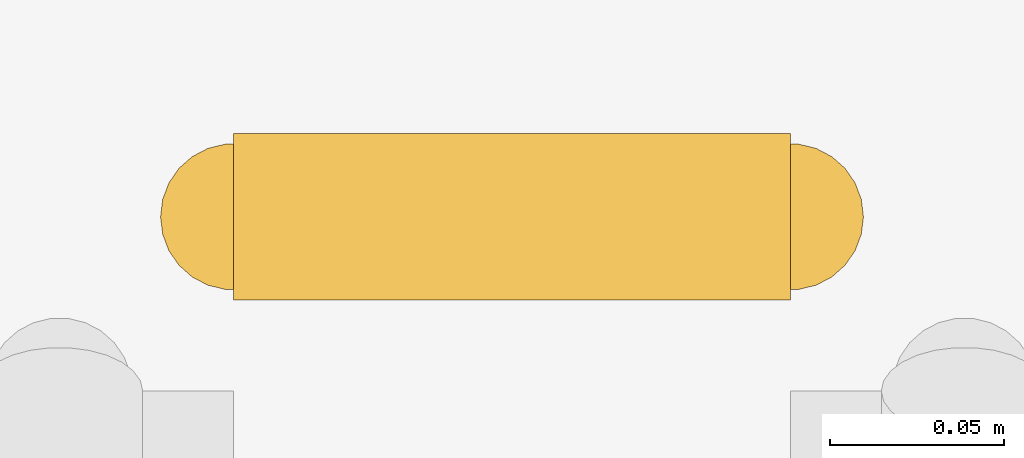
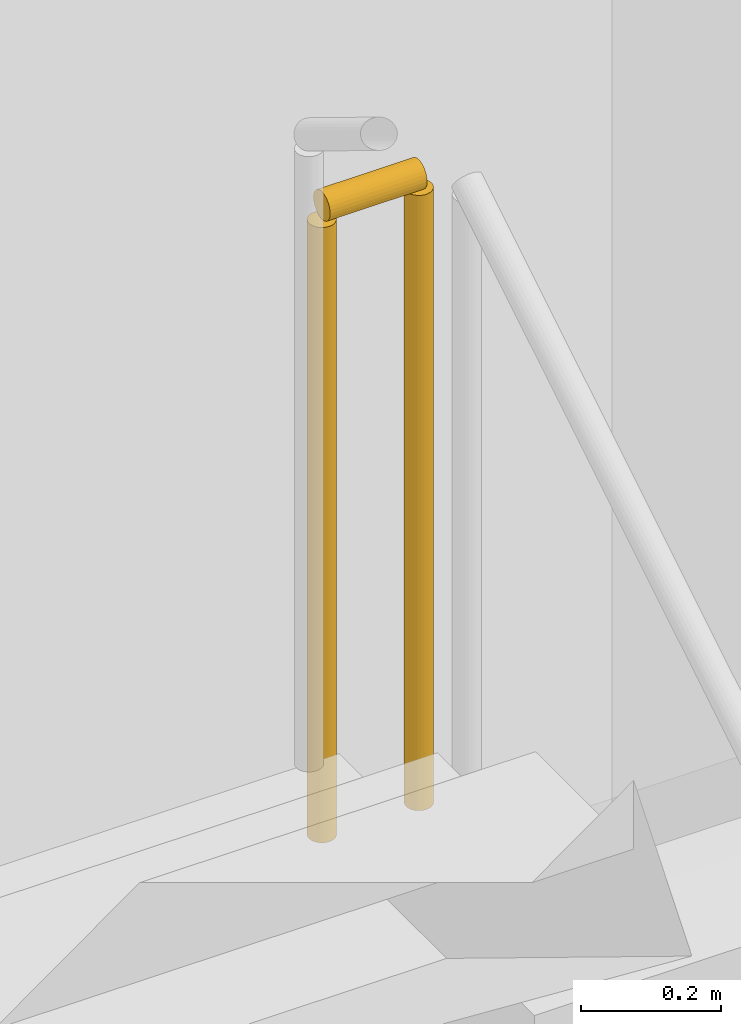
# One storey, part 73 of 74: 1 railing.
"""IFC4 building model written with IfcOpenShell, lengths in metres."""

from ifc_helpers import new_model, si_unit, direction, frame, origin, origin_2d, place, context, subcontext, project, spatial, circle, extrude, material, type_object, element, save


model = new_model("IFC4")

# Units and contexts
model_context = context("Model", 3, precision=1e-05, world=origin(), true_north=direction((0.0, 1.0)))
body_context = subcontext(model_context, "Body", "Model", "MODEL_VIEW")
ifc_project = project(units=[si_unit("LENGTHUNIT", "METRE"), si_unit("AREAUNIT", "SQUARE_METRE"), si_unit("VOLUMEUNIT", "CUBIC_METRE"), si_unit("PLANEANGLEUNIT", "RADIAN"), si_unit("MASSUNIT", "GRAM", prefix="KILO")], contexts=[model_context])

# Site, building, storey
site_placement = place(None, origin())
site = spatial("IfcSite", under=ifc_project, at=site_placement, CompositionType="ELEMENT")
building_placement = place(site_placement, origin())
building = spatial("IfcBuilding", under=site, at=building_placement, Name="Suzunagisa Mobility Hub", CompositionType="ELEMENT")
storey_placement = place(building_placement, frame((0.0, 0.0, -4.800048828125)))
storey = spatial("IfcBuildingStorey", under=building, at=storey_placement, Name="B1", CompositionType="ELEMENT", Elevation=-4.800048828125)

# Railing
ifc_material = material(Name="Stainless Steel SUS304", Category="metal")
railing_type = type_object("IfcRailingType", Name="Interior Well Guardrail IGR-01", PredefinedType="GUARDRAIL", material=ifc_material)
railing_placement = place(storey_placement, frame((146.280029296875, 95.050048828125, 2.400146484375)))
element("IfcRailing", 1, at=railing_placement, inside=storey, type_object=railing_type, Name="B1 ST-12 stair guard 2", PredefinedType="GUARDRAIL", context=body_context, shape_type="SweptSolid", body=[
    extrude(circle(Radius=0.02392578125, at=origin_2d()), frame((0.0, 0.0, 1.09619140625), z_axis=(-1.0, 0.0, 0.0), x_axis=(0.0, -1.0, 0.0)), (0.0, 0.0, 1.0), 0.159912109375),
    extrude(circle(Radius=0.02099609375, at=origin_2d()), origin(), (0.0, 0.0, 1.0), 1.072021484375),
    extrude(circle(Radius=0.02099609375, at=origin_2d()), frame((-0.159912109375, 0.0, 0.0)), (0.0, 0.0, 1.0), 1.072021484375),
])

save(model, "model.ifc")
